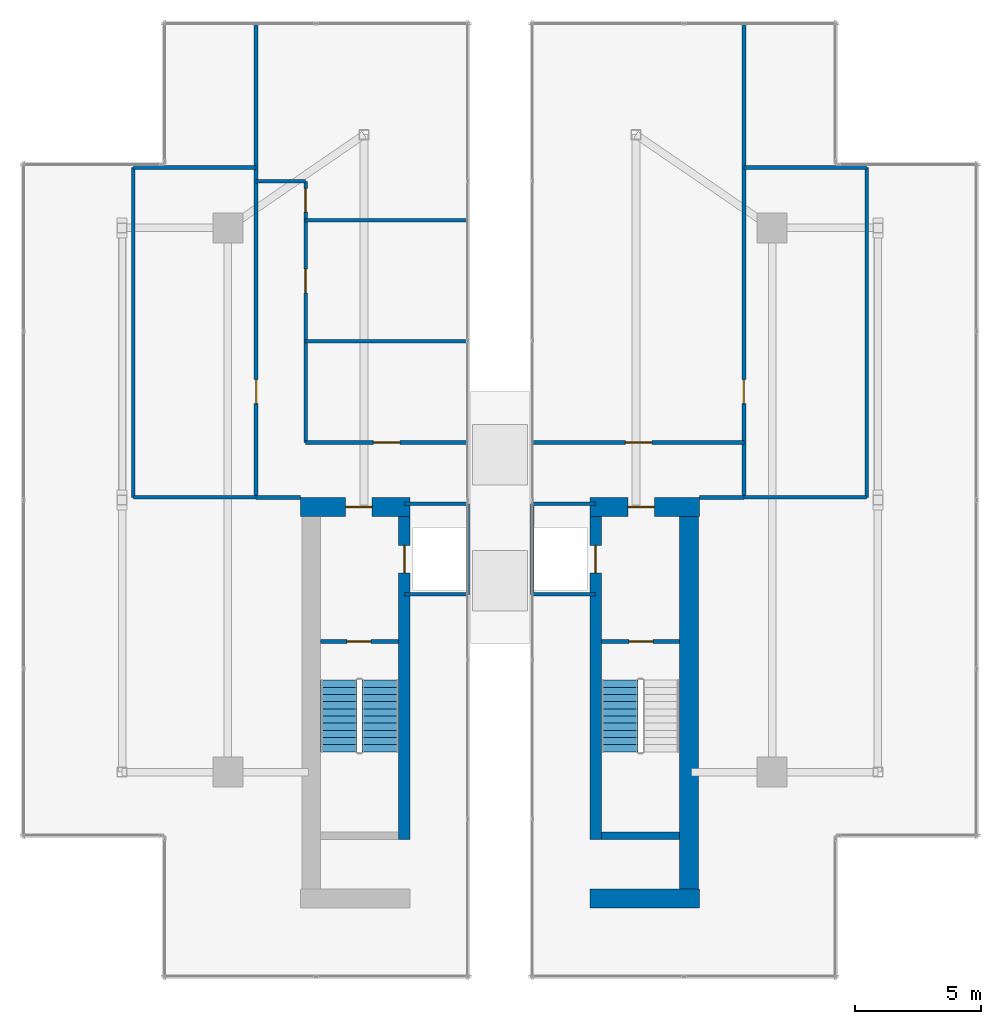
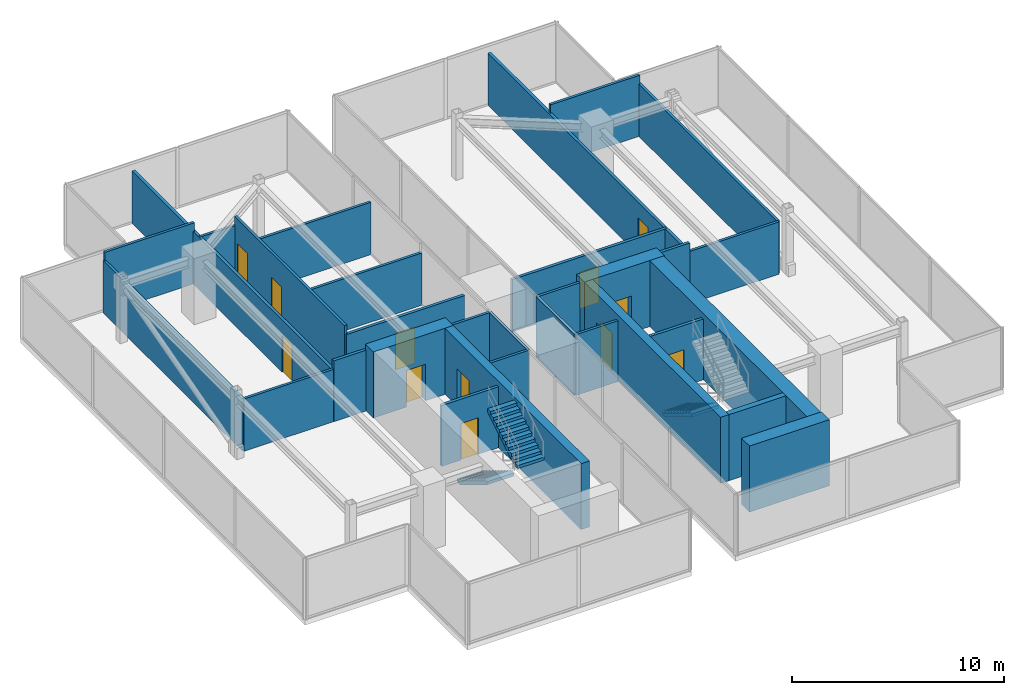
# One storey, part 23 of 25: 31 walls, 12 doors, 3 stair flights, 12 openings, 2 elements without a shape of their own.
"""IFC4 building model written with IfcOpenShell, lengths in metres."""

import ifcopenshell
import ifcopenshell.guid

model = None  # the IFC model being written
_history = None  # IfcOwnerHistory: only IFC2X3 demands one
_inside = {}  # id of a spatial element -> (the spatial element, [elements in it])
_under = {}  # id of a project, library or spatial element -> (it, [spatial elements below it])
_declared = {}  # id of a project -> (the project, [libraries it declares])
_typed = {}  # id of a type object -> (the type object, [elements of that type])
_made_of = {}  # id of a material, layer set ... -> (it, [elements and type objects made of it])


def new_model(schema):
    """Start an empty IFC model of exactly this schema.

    Asked for "IFC4X3", IfcOpenShell would pick the latest addendum, in which some entities
    have other attributes; the version numbers below select the first issue.
    IFC2X3 requires an IfcOwnerHistory on every rooted entity: one is made here for all.
    """
    global model, _history
    if schema == "IFC4X3":
        model = ifcopenshell.file(schema_version=(4, 3, 0, 0))
    else:
        model = ifcopenshell.file(schema=schema)
    _inside.clear()
    _under.clear()
    _declared.clear()
    _typed.clear()
    _made_of.clear()
    _history = None
    if model.schema == "IFC2X3":
        org = make("IfcOrganization", Name="unknown")
        user = make(
            "IfcPersonAndOrganization",
            ThePerson=make("IfcPerson", FamilyName="unknown"),
            TheOrganization=org,
        )
        app = make(
            "IfcApplication",
            ApplicationDeveloper=org,
            Version="unknown",
            ApplicationFullName="unknown",
            ApplicationIdentifier="unknown",
        )
        _history = make(
            "IfcOwnerHistory",
            OwningUser=user,
            OwningApplication=app,
            ChangeAction="ADDED",
            CreationDate=0,
        )
    return model


def make(cls, **values):
    """One entity of the class cls with the attributes given. An attribute that is None is left unset."""
    return model.create_entity(
        cls, **{name: value for name, value in values.items() if value is not None}
    )


def rooted(cls, **values):
    """An entity with a GlobalId (a new one), such as an element, a storey or a relation."""
    return make(cls, GlobalId=ifcopenshell.guid.new(), OwnerHistory=_history, **values)


def si_unit(unit_type, name, prefix=None):
    """IfcSIUnit, for example si_unit("LENGTHUNIT", "METRE", prefix="MILLI")."""
    return make("IfcSIUnit", UnitType=unit_type, Prefix=prefix, Name=name)


def assignment(units):
    """IfcUnitAssignment: the units of a project."""
    return None if units is None else make("IfcUnitAssignment", Units=units)


def point(xyz):
    """IfcCartesianPoint."""
    return None if xyz is None else make("IfcCartesianPoint", Coordinates=xyz)


def direction(xyz):
    """IfcDirection."""
    return None if xyz is None else make("IfcDirection", DirectionRatios=xyz)


def frame(location, z_axis=None, x_axis=None):
    """IfcAxis2Placement3D, a coordinate frame: its origin and axes. An axis left out is left unset."""
    return make(
        "IfcAxis2Placement3D",
        Location=point(location),
        Axis=direction(z_axis),
        RefDirection=direction(x_axis),
    )


def frame_2d(location, x_axis=None):
    """IfcAxis2Placement2D, a coordinate frame in the plane: its origin and x axis."""
    return make(
        "IfcAxis2Placement2D", Location=point(location), RefDirection=direction(x_axis)
    )


def origin():
    """The frame at (0, 0, 0) with its axes left unset."""
    return frame((0.0, 0.0, 0.0))


def place(relative_to, where):
    """IfcLocalPlacement: puts the frame where relative to a parent placement (None: the world)."""
    return make(
        "IfcLocalPlacement", PlacementRelTo=relative_to, RelativePlacement=where
    )


def context(
    kind, dimensions, precision=None, world=None, true_north=None, identifier=None
):
    """IfcGeometricRepresentationContext, for example the 3D "Model" context."""
    return make(
        "IfcGeometricRepresentationContext",
        ContextIdentifier=identifier,
        ContextType=kind,
        CoordinateSpaceDimension=dimensions,
        Precision=precision,
        WorldCoordinateSystem=world,
        TrueNorth=true_north,
    )


def subcontext(parent, identifier, kind, view, scale=None):
    """IfcGeometricRepresentationSubContext, for example "Body" below "Model"."""
    return make(
        "IfcGeometricRepresentationSubContext",
        ContextIdentifier=identifier,
        ContextType=kind,
        ParentContext=parent,
        TargetScale=scale,
        TargetView=view,
    )


def project(units=None, contexts=None):
    """IfcProject with its units and contexts."""
    return rooted(
        "IfcProject",
        Name="project",
        RepresentationContexts=contexts,
        UnitsInContext=assignment(units),
    )


def spatial(cls, under=None, at=None, **own):
    """A site, building, storey or space (cls), placed at a placement, below another one or the project."""
    s = rooted(cls, ObjectPlacement=at, **own)
    if under is not None:
        _under.setdefault(under.id(), (under, []))[1].append(s)
    return s


def polyline(points):
    """IfcPolyline through the points."""
    return make("IfcPolyline", Points=[point(p) for p in points])


def profile(cls, at=None, kind="AREA", **sizes):
    """A parametric profile (cls). Its sizes go by their IFC names, for example OverallWidth=200.0."""
    return make(cls, ProfileType=kind, Position=at, **sizes)


def rectangle(**sizes):
    """IfcRectangleProfileDef."""
    return profile("IfcRectangleProfileDef", **sizes)


def outline(outer, holes=None, kind="AREA"):
    """IfcArbitraryClosedProfileDef: a profile drawn as a closed curve; with holes, ...WithVoids."""
    if holes is None:
        return make("IfcArbitraryClosedProfileDef", ProfileType=kind, OuterCurve=outer)
    return make(
        "IfcArbitraryProfileDefWithVoids",
        ProfileType=kind,
        OuterCurve=outer,
        InnerCurves=holes,
    )


def extrude(swept, where, along, depth):
    """IfcExtrudedAreaSolid: the profile swept, set in the frame where, extruded along a direction by depth."""
    return make(
        "IfcExtrudedAreaSolid",
        SweptArea=swept,
        Position=where,
        ExtrudedDirection=direction(along),
        Depth=depth,
    )


def shape(context_of_items, identifier, shape_type, items):
    """IfcShapeRepresentation: the items that make up one representation, for example the "Body"."""
    return make(
        "IfcShapeRepresentation",
        ContextOfItems=context_of_items,
        RepresentationIdentifier=identifier,
        RepresentationType=shape_type,
        Items=items,
    )


def material(Name=None, Category=None):
    """IfcMaterial."""
    return make("IfcMaterial", Name=Name, Category=Category)


def layer(
    of_material, thickness, ventilated=None, Name=None, Category=None, Priority=None
):
    """IfcMaterialLayer: one layer of a wall or slab, of a material (None: an air gap)."""
    return make(
        "IfcMaterialLayer",
        Material=of_material,
        LayerThickness=thickness,
        IsVentilated=ventilated,
        Name=Name,
        Category=Category,
        Priority=Priority,
    )


def layer_set(layers, Name=None):
    """IfcMaterialLayerSet."""
    return make("IfcMaterialLayerSet", MaterialLayers=layers, LayerSetName=Name)


def made_of(thing, what):
    """Note that an element or type object is made of a material, layer set ...; save() writes the relation."""
    if what is not None:
        _made_of.setdefault(what.id(), (what, []))[1].append(thing)
    return thing


def type_object(cls, material=None, **own):
    """A type object (cls), such as IfcWallType, which elements share."""
    return made_of(rooted(cls, **own), material)


def element(
    cls,
    number,
    at=None,
    inside=None,
    cuts=None,
    type_object=None,
    material=None,
    context=None,
    identifier="Body",
    shape_type=None,
    held_by="IfcProductDefinitionShape",
    body=None,
    shapes=None,
    **own,
):
    """One element of the class cls, such as IfcWall. Its Tag is "e" and its number.

    at: its placement. inside: the storey or other place that contains it. cuts: it is an
    opening in that element (IfcRelVoidsElement). A single representation is given by context,
    identifier, shape_type and body (its items); several are given by shapes. held_by: the class
    of the entity that holds the representations. save() writes the other relations.
    """
    e = rooted(cls, Tag="e%d" % number, ObjectPlacement=at, **own)
    if body is not None:
        shapes = [shape(context, identifier, shape_type, body)]
    if shapes is not None:
        e.Representation = make(held_by, Representations=shapes)
    if inside is not None:
        _inside.setdefault(inside.id(), (inside, []))[1].append(e)
    if cuts is not None:
        rooted(
            "IfcRelVoidsElement", RelatingBuildingElement=cuts, RelatedOpeningElement=e
        )
    if type_object is not None:
        _typed.setdefault(type_object.id(), (type_object, []))[1].append(e)
    return made_of(e, material)


def fill(opening, filler):
    """IfcRelFillsElement: the door or window that sits in an opening."""
    return rooted(
        "IfcRelFillsElement",
        RelatingOpeningElement=opening,
        RelatedBuildingElement=filler,
    )


def aggregate(whole, parts):
    """IfcRelAggregates: a whole, such as a stair, and the parts it consists of."""
    return rooted("IfcRelAggregates", RelatingObject=whole, RelatedObjects=parts)


def save(model, path):
    """Write the relations noted so far, then the file.

    IfcRelAggregates (storeys below a building ...), IfcRelContainedInSpatialStructure (elements
    in a storey), IfcRelDefinesByType, IfcRelAssociatesMaterial and IfcRelDeclares: one each for
    every whole, place, type object, material and project.
    """
    for whole, parts in _under.values():
        aggregate(whole, parts)
    for where, things in _inside.values():
        rooted(
            "IfcRelContainedInSpatialStructure",
            RelatedElements=things,
            RelatingStructure=where,
        )
    for kind, things in _typed.values():
        rooted("IfcRelDefinesByType", RelatedObjects=things, RelatingType=kind)
    for what, things in _made_of.values():
        rooted("IfcRelAssociatesMaterial", RelatedObjects=things, RelatingMaterial=what)
    for by, libraries in _declared.values():
        rooted("IfcRelDeclares", RelatingContext=by, RelatedDefinitions=libraries)
    model.write(path)


model = new_model("IFC4")

# Units and contexts
model_context = context("Model", 3, precision=1e-05, world=origin(), true_north=direction((0.0, 1.0)))
body_context = subcontext(model_context, "Body", "Model", "MODEL_VIEW")
ifc_project = project(units=[si_unit("LENGTHUNIT", "METRE"), si_unit("AREAUNIT", "SQUARE_METRE"), si_unit("VOLUMEUNIT", "CUBIC_METRE"), si_unit("PLANEANGLEUNIT", "RADIAN"), si_unit("MASSUNIT", "GRAM", prefix="KILO")], contexts=[model_context])

# Site, building, storey
site_placement = place(None, origin())
site = spatial("IfcSite", under=ifc_project, at=site_placement, CompositionType="ELEMENT")
building_placement = place(site_placement, origin())
building = spatial("IfcBuilding", under=site, at=building_placement, Name="Krantzveldt Concourse Tower", CompositionType="ELEMENT")
storey_placement = place(building_placement, frame((0.0, 0.0, 367.050048828125)))
storey = spatial("IfcBuildingStorey", under=building, at=storey_placement, Name="L90", CompositionType="ELEMENT", Elevation=367.050048828125)

# Walls
ifc_material_1 = material(Name="Fire-rated gypsum plasterboard on steel stud", Category="steel")
ifc_layer_1 = layer(ifc_material_1, 0.139892578125, Name="Fire-rated gypsum plasterboard on steel stud", Category="steel")
ifc_layer_set_1 = layer_set([ifc_layer_1], Name="Fire-rated gypsum plasterboard on steel stud (WL-PART-FR140)")
wall_type_1 = type_object("IfcWallType", Name="WL-PART-FR140", PredefinedType="PARTITIONING", material=ifc_layer_set_1)
wall_1_placement = place(storey_placement, frame((34.719970703125, 22.949951171875, 0.0), z_axis=(0.0, 0.0, 1.0), x_axis=(0.0, 1.0, 0.0)))
element("IfcWall", 1, at=wall_1_placement, inside=storey, type_object=wall_type_1, Name="WP-L90-FL1E", PredefinedType="PARTITIONING", context=body_context, shape_type="SweptSolid", body=[
    extrude(rectangle(XDim=3.60009765625, YDim=0.139892578125, at=frame_2d((1.800048828125, 0.0))), origin(), (0.0, 0.0, 1.0), 3.5),
])
for number, where, z_axis, x_axis, name in (
    (2, (32.2099609375, 22.949951171875, 0.0), (0.0, 0.0, 1.0), (1.0, 0.0, 0.0), "WP-L90-FL1S"),
    (3, (32.2099609375, 26.550048828125, 0.0), (0.0, 0.0, 1.0), (1.0, 0.0, 0.0), "WP-L90-FL1N"),
):
    element("IfcWall", number, at=place(storey_placement, frame(where, z_axis=z_axis, x_axis=x_axis)), inside=storey, type_object=wall_type_1, Name=name, PredefinedType="PARTITIONING", context=body_context, shape_type="SweptSolid", body=[
        extrude(rectangle(XDim=2.510009765625, YDim=0.139892578125, at=frame_2d((1.2548828125, 0.0))), origin(), (0.0, 0.0, 1.0), 3.5),
    ])
wall_2_placement = place(storey_placement, frame((37.280029296875, 22.949951171875, 0.0), z_axis=(0.0, 0.0, 1.0), x_axis=(0.0, 1.0, 0.0)))
element("IfcWall", 4, at=wall_2_placement, inside=storey, type_object=wall_type_1, Name="WP-L90-FL2W", PredefinedType="PARTITIONING", context=body_context, shape_type="SweptSolid", body=[
    extrude(rectangle(XDim=3.60009765625, YDim=0.139892578125, at=frame_2d((1.800048828125, 0.0))), origin(), (0.0, 0.0, 1.0), 3.5),
])
for number, where, z_axis, x_axis, name in (
    (5, (37.280029296875, 22.949951171875, 0.0), (0.0, 0.0, 1.0), (1.0, 0.0, 0.0), "WP-L90-FL2S"),
    (6, (37.280029296875, 26.550048828125, 0.0), (0.0, 0.0, 1.0), (1.0, 0.0, 0.0), "WP-L90-FL2N"),
):
    element("IfcWall", number, at=place(storey_placement, frame(where, z_axis=z_axis, x_axis=x_axis)), inside=storey, type_object=wall_type_1, Name=name, PredefinedType="PARTITIONING", context=body_context, shape_type="SweptSolid", body=[
        extrude(rectangle(XDim=2.510009765625, YDim=0.139892578125, at=frame_2d((1.2548828125, 0.0))), origin(), (0.0, 0.0, 1.0), 3.5),
    ])
wall_3_placement = place(storey_placement, frame((21.449951171875, 26.800048828125, 0.0), z_axis=(0.0, 0.0, 1.0), x_axis=(0.0, 1.0, 0.0)))
element("IfcWall", 7, at=wall_3_placement, inside=storey, type_object=wall_type_1, Name="WP-L90-CWW", PredefinedType="PARTITIONING", context=body_context, shape_type="SweptSolid", body=[
    extrude(rectangle(XDim=13.099853515625, YDim=0.139892578125, at=frame_2d((6.5498046875, 0.0))), origin(), (0.0, 0.0, 1.0), 3.010009765625),
])
wall_4_placement = place(storey_placement, frame((21.449951171875, 26.800048828125, 0.0), z_axis=(0.0, 0.0, 1.0), x_axis=(1.0, 0.0, 0.0)))
element("IfcWall", 8, at=wall_4_placement, inside=storey, type_object=wall_type_1, Name="WP-L90-CWS", PredefinedType="PARTITIONING", context=body_context, shape_type="SweptSolid", body=[
    extrude(rectangle(XDim=4.8701171875, YDim=0.139892578125, at=frame_2d((2.43505859375, 0.0))), origin(), (0.0, 0.0, 1.0), 3.010009765625),
])
wall_5_placement = place(storey_placement, frame((21.449951171875, 39.89990234375, 0.0), z_axis=(0.0, 0.0, 1.0), x_axis=(1.0, 0.0, 0.0)))
element("IfcWall", 9, at=wall_5_placement, inside=storey, type_object=wall_type_1, Name="WP-L90-CWTOP", PredefinedType="PARTITIONING", context=body_context, shape_type="SweptSolid", body=[
    extrude(rectangle(XDim=4.8701171875, YDim=0.139892578125, at=frame_2d((2.43505859375, 0.0))), origin(), (0.0, 0.0, 1.0), 3.5),
])

# Wall, openings, doors
wall_6_placement = place(storey_placement, frame((28.280029296875, 28.97998046875, 0.0), z_axis=(0.0, 0.0, 1.0), x_axis=(0.0, 1.0, 0.0)))
wall_6 = element("IfcWall", 10, at=wall_6_placement, inside=storey, type_object=wall_type_1, Name="WP-L90-CNKR", PredefinedType="PARTITIONING", context=body_context, shape_type="SweptSolid", body=[
    extrude(rectangle(XDim=10.3701171875, YDim=0.139892578125, at=frame_2d((5.18505859375, 0.0))), origin(), (0.0, 0.0, 1.0), 3.5),
])
opening_1_placement = place(wall_6_placement, frame((5.945068359375, 0.0, 0.0)))
opening_1 = element("IfcOpeningElement", 11, at=opening_1_placement, cuts=wall_6, Name="Opening D-FD695", PredefinedType="OPENING", context=body_context, shape_type="SweptSolid", body=[
    extrude(rectangle(XDim=0.949951171875, YDim=2.10009765625, at=frame_2d((0.47509765625, 1.050048828125))), frame((0.0, 0.080078125, 0.0), z_axis=(0.0, -1.0, 0.0), x_axis=(1.0, 0.0, 0.0)), (0.0, 0.0, 1.0), 0.159912109375),
])
opening_2_placement = place(wall_6_placement, frame((9.14501953125, 0.0, 0.0)))
opening_2 = element("IfcOpeningElement", 12, at=opening_2_placement, cuts=wall_6, Name="Opening D-FD695", PredefinedType="OPENING", context=body_context, shape_type="SweptSolid", body=[
    extrude(rectangle(XDim=0.949951171875, YDim=2.10009765625, at=frame_2d((0.47509765625, 1.050048828125))), frame((0.0, 0.080078125, 0.0), z_axis=(0.0, -1.0, 0.0), x_axis=(1.0, 0.0, 0.0)), (0.0, 0.0, 1.0), 0.159912109375),
])
ifc_material_2 = material(Name="Hardwood timber", Category="wood")
door_type_1 = type_object("IfcDoorType", Name="DR-FD60-950", OperationType="SINGLE_SWING_LEFT", PredefinedType="DOOR", material=ifc_material_2)
door_1_placement = place(opening_1_placement, origin())
door_1 = element("IfcDoor", 13, at=door_1_placement, inside=storey, type_object=door_type_1, Name="DR-L90-PLT2", OperationType="SINGLE_SWING_RIGHT", OverallHeight=2.10009765625, OverallWidth=0.949951171875, PredefinedType="DOOR", context=body_context, shape_type="SweptSolid", body=[
    extrude(rectangle(XDim=0.949951171875, YDim=2.10009765625, at=frame_2d((0.47509765625, 1.050048828125))), frame((0.0, 0.02490234375, 0.0), z_axis=(0.0, -1.0, 0.0), x_axis=(1.0, 0.0, 0.0)), (0.0, 0.0, 1.0), 0.050048828125),
])
fill(opening_1, door_1)
door_2_placement = place(opening_2_placement, origin())
door_2 = element("IfcDoor", 14, at=door_2_placement, inside=storey, type_object=door_type_1, Name="DR-L90-PLT3", OperationType="SINGLE_SWING_LEFT", OverallHeight=2.10009765625, OverallWidth=0.949951171875, PredefinedType="DOOR", context=body_context, shape_type="SweptSolid", body=[
    extrude(rectangle(XDim=0.949951171875, YDim=2.10009765625, at=frame_2d((0.47509765625, 1.050048828125))), frame((0.0, 0.02490234375, 0.0), z_axis=(0.0, -1.0, 0.0), x_axis=(1.0, 0.0, 0.0)), (0.0, 0.0, 1.0), 0.050048828125),
])
fill(opening_2, door_2)

# Walls
for number, where, z_axis, x_axis, name in (
    (15, (28.280029296875, 33.0, 0.0), (0.0, 0.0, 1.0), (1.0, 0.0, 0.0), "WP-L90-CDV1"),
    (16, (28.280029296875, 37.800048828125, 0.0), (0.0, 0.0, 1.0), (1.0, 0.0, 0.0), "WP-L90-CDV2"),
):
    element("IfcWall", number, at=place(storey_placement, frame(where, z_axis=z_axis, x_axis=x_axis)), inside=storey, type_object=wall_type_1, Name=name, PredefinedType="PARTITIONING", context=body_context, shape_type="SweptSolid", body=[
        extrude(rectangle(XDim=6.429931640625, YDim=0.139892578125, at=frame_2d((3.21484375, 0.0))), origin(), (0.0, 0.0, 1.0), 3.010009765625),
    ])
wall_7_placement = place(storey_placement, frame((26.320068359375, 39.35009765625, 0.0), z_axis=(0.0, 0.0, 1.0), x_axis=(1.0, 0.0, 0.0)))
element("IfcWall", 17, at=wall_7_placement, inside=storey, type_object=wall_type_1, Name="WP-L90-CNKT", PredefinedType="PARTITIONING", context=body_context, shape_type="SweptSolid", body=[
    extrude(rectangle(XDim=1.9599609375, YDim=0.139892578125, at=frame_2d((0.97998046875, 0.0))), origin(), (0.0, 0.0, 1.0), 3.010009765625),
])
wall_8_placement = place(storey_placement, frame((50.550048828125, 26.800048828125, 0.0), z_axis=(0.0, 0.0, 1.0), x_axis=(0.0, 1.0, 0.0)))
element("IfcWall", 18, at=wall_8_placement, inside=storey, type_object=wall_type_1, Name="WP-L90-EEE", PredefinedType="PARTITIONING", context=body_context, shape_type="SweptSolid", body=[
    extrude(rectangle(XDim=13.099853515625, YDim=0.139892578125, at=frame_2d((6.5498046875, 0.0))), origin(), (0.0, 0.0, 1.0), 3.010009765625),
])
wall_9_placement = place(storey_placement, frame((45.679931640625, 26.800048828125, 0.0), z_axis=(0.0, 0.0, 1.0), x_axis=(1.0, 0.0, 0.0)))
element("IfcWall", 19, at=wall_9_placement, inside=storey, type_object=wall_type_1, Name="WP-L90-EES", PredefinedType="PARTITIONING", context=body_context, shape_type="SweptSolid", body=[
    extrude(rectangle(XDim=4.8701171875, YDim=0.139892578125, at=frame_2d((2.43505859375, 0.0))), origin(), (0.0, 0.0, 1.0), 3.010009765625),
])
wall_10_placement = place(storey_placement, frame((45.679931640625, 39.89990234375, 0.0), z_axis=(0.0, 0.0, 1.0), x_axis=(1.0, 0.0, 0.0)))
element("IfcWall", 20, at=wall_10_placement, inside=storey, type_object=wall_type_1, Name="WP-L90-ETP", PredefinedType="PARTITIONING", context=body_context, shape_type="SweptSolid", body=[
    extrude(rectangle(XDim=4.8701171875, YDim=0.139892578125, at=frame_2d((2.43505859375, 0.0))), origin(), (0.0, 0.0, 1.0), 3.5),
])

# Wall, opening, door
ifc_layer_2 = layer(ifc_material_1, 0.159912109375, Name="Fire-rated gypsum plasterboard on steel stud", Category="steel")
ifc_layer_set_2 = layer_set([ifc_layer_2], Name="Fire-rated gypsum plasterboard on steel stud (WL-PART-FR160)")
wall_type_2 = type_object("IfcWallType", Name="WL-PART-FR160", PredefinedType="PARTITIONING", material=ifc_layer_set_2)
wall_11_placement = place(storey_placement, frame((28.8798828125, 21.080078125, 0.0), z_axis=(0.0, 0.0, 1.0), x_axis=(1.0, 0.0, 0.0)))
wall_11 = element("IfcWall", 21, at=wall_11_placement, inside=storey, type_object=wall_type_2, Name="WP-L90-ST1", PredefinedType="PARTITIONING", context=body_context, shape_type="SweptSolid", body=[
    extrude(rectangle(XDim=3.10009765625, YDim=0.159912109375, at=frame_2d((1.550048828125, 0.0))), origin(), (0.0, 0.0, 1.0), 3.5),
])
opening_3_placement = place(wall_11_placement, frame((1.044921875, 0.0, 0.0)))
opening_3 = element("IfcOpeningElement", 22, at=opening_3_placement, cuts=wall_11, Name="Opening D-FD095", PredefinedType="OPENING", context=body_context, shape_type="SweptSolid", body=[
    extrude(rectangle(XDim=0.949951171875, YDim=2.10009765625, at=frame_2d((0.47509765625, 1.050048828125))), frame((0.0, 0.08984375, 0.0), z_axis=(0.0, -1.0, 0.0), x_axis=(1.0, 0.0, 0.0)), (0.0, 0.0, 1.0), 0.179931640625),
])
ifc_material_3 = material(Name="Galvanised steel", Category="steel")
door_type_2 = type_object("IfcDoorType", Name="DR-FD120-950", OperationType="SINGLE_SWING_LEFT", PredefinedType="DOOR", material=ifc_material_3)
door_3_placement = place(opening_3_placement, origin())
door_3 = element("IfcDoor", 23, at=door_3_placement, inside=storey, type_object=door_type_2, Name="DR-L90-ST1", OperationType="SINGLE_SWING_RIGHT", OverallHeight=2.10009765625, OverallWidth=0.949951171875, PredefinedType="DOOR", context=body_context, shape_type="SweptSolid", body=[
    extrude(rectangle(XDim=0.949951171875, YDim=2.10009765625, at=frame_2d((0.47509765625, 1.050048828125))), frame((0.0, 0.02490234375, 0.0), z_axis=(0.0, -1.0, 0.0), x_axis=(1.0, 0.0, 0.0)), (0.0, 0.0, 1.0), 0.050048828125),
])
fill(opening_3, door_3)

wall_12_placement = place(storey_placement, frame((40.02001953125, 21.080078125, 0.0), z_axis=(0.0, 0.0, 1.0), x_axis=(1.0, 0.0, 0.0)))
wall_12 = element("IfcWall", 24, at=wall_12_placement, inside=storey, type_object=wall_type_2, Name="WP-L90-ST2", PredefinedType="PARTITIONING", context=body_context, shape_type="SweptSolid", body=[
    extrude(rectangle(XDim=3.10009765625, YDim=0.159912109375, at=frame_2d((1.550048828125, 0.0))), origin(), (0.0, 0.0, 1.0), 3.5),
])
opening_4_placement = place(wall_12_placement, frame((1.10498046875, 0.0, 0.0)))
opening_4 = element("IfcOpeningElement", 25, at=opening_4_placement, cuts=wall_12, Name="Opening D-FD095", PredefinedType="OPENING", context=body_context, shape_type="SweptSolid", body=[
    extrude(rectangle(XDim=0.949951171875, YDim=2.10009765625, at=frame_2d((0.47509765625, 1.050048828125))), frame((0.0, 0.08984375, 0.0), z_axis=(0.0, -1.0, 0.0), x_axis=(1.0, 0.0, 0.0)), (0.0, 0.0, 1.0), 0.179931640625),
])
door_4_placement = place(opening_4_placement, origin())
door_4 = element("IfcDoor", 26, at=door_4_placement, inside=storey, type_object=door_type_2, Name="DR-L90-ST2", OperationType="SINGLE_SWING_LEFT", OverallHeight=2.10009765625, OverallWidth=0.949951171875, PredefinedType="DOOR", context=body_context, shape_type="SweptSolid", body=[
    extrude(rectangle(XDim=0.949951171875, YDim=2.10009765625, at=frame_2d((0.47509765625, 1.050048828125))), frame((0.0, 0.02490234375, 0.0), z_axis=(0.0, -1.0, 0.0), x_axis=(1.0, 0.0, 0.0)), (0.0, 0.0, 1.0), 0.050048828125),
])
fill(opening_4, door_4)

wall_13_placement = place(storey_placement, frame((28.280029296875, 28.97998046875, 0.0), z_axis=(0.0, 0.0, 1.0), x_axis=(1.0, 0.0, 0.0)))
wall_13 = element("IfcWall", 27, at=wall_13_placement, inside=storey, type_object=wall_type_2, Name="WP-L90-CN1R", PredefinedType="PARTITIONING", context=body_context, shape_type="SweptSolid", body=[
    extrude(rectangle(XDim=6.429931640625, YDim=0.159912109375, at=frame_2d((3.21484375, 0.0))), origin(), (0.0, 0.0, 1.0), 3.010009765625),
])
opening_5_placement = place(wall_13_placement, frame((2.695068359375, 0.0, 0.0)))
opening_5 = element("IfcOpeningElement", 28, at=opening_5_placement, cuts=wall_13, Name="Opening D-FD105", PredefinedType="OPENING", context=body_context, shape_type="SweptSolid", body=[
    extrude(rectangle(XDim=1.050048828125, YDim=2.10009765625, at=frame_2d((0.52490234375, 1.050048828125))), frame((0.0, 0.08984375, 0.0), z_axis=(0.0, -1.0, 0.0), x_axis=(1.0, 0.0, 0.0)), (0.0, 0.0, 1.0), 0.179931640625),
])
door_type_3 = type_object("IfcDoorType", Name="DR-FD120-1050", OperationType="SINGLE_SWING_LEFT", PredefinedType="DOOR", material=ifc_material_3)
door_5_placement = place(opening_5_placement, origin())
door_5 = element("IfcDoor", 29, at=door_5_placement, inside=storey, type_object=door_type_3, Name="DR-L90-PLT1", OperationType="SINGLE_SWING_LEFT", OverallHeight=2.10009765625, OverallWidth=1.050048828125, PredefinedType="DOOR", context=body_context, shape_type="SweptSolid", body=[
    extrude(rectangle(XDim=1.050048828125, YDim=2.10009765625, at=frame_2d((0.52490234375, 1.050048828125))), frame((0.0, 0.02490234375, 0.0), z_axis=(0.0, -1.0, 0.0), x_axis=(1.0, 0.0, 0.0)), (0.0, 0.0, 1.0), 0.050048828125),
])
fill(opening_5, door_5)

# Wall
wall_14_placement = place(storey_placement, frame((26.320068359375, 26.800048828125, 0.0), z_axis=(0.0, 0.0, 1.0), x_axis=(1.0, 0.0, 0.0)))
element("IfcWall", 30, at=wall_14_placement, inside=storey, type_object=wall_type_2, Name="WP-L90-CS1", PredefinedType="PARTITIONING", context=body_context, shape_type="SweptSolid", body=[
    extrude(rectangle(XDim=1.760009765625, YDim=0.159912109375, at=frame_2d((0.8798828125, 0.0))), origin(), (0.0, 0.0, 1.0), 3.5),
])

# Wall, opening, door
wall_15_placement = place(storey_placement, frame((26.320068359375, 26.800048828125, 0.0), z_axis=(0.0, 0.0, 1.0), x_axis=(0.0, 1.0, 0.0)))
wall_15 = element("IfcWall", 31, at=wall_15_placement, inside=storey, type_object=wall_type_2, Name="WP-L90-CWL", PredefinedType="PARTITIONING", context=body_context, shape_type="SweptSolid", body=[
    extrude(rectangle(XDim=18.81005859375, YDim=0.159912109375, at=frame_2d((9.405029296875, 0.0))), origin(), (0.0, 0.0, 1.0), 3.010009765625),
])
opening_6_placement = place(wall_15_placement, frame((3.72509765625, 0.0, 0.0)))
opening_6 = element("IfcOpeningElement", 32, at=opening_6_placement, cuts=wall_15, Name="Opening D-FD695", PredefinedType="OPENING", context=body_context, shape_type="SweptSolid", body=[
    extrude(rectangle(XDim=0.949951171875, YDim=2.10009765625, at=frame_2d((0.47509765625, 1.050048828125))), frame((0.0, 0.08984375, 0.0), z_axis=(0.0, -1.0, 0.0), x_axis=(1.0, 0.0, 0.0)), (0.0, 0.0, 1.0), 0.179931640625),
])
door_6_placement = place(opening_6_placement, origin())
door_6 = element("IfcDoor", 33, at=door_6_placement, inside=storey, type_object=door_type_1, Name="DR-L90-PLT4", OperationType="SINGLE_SWING_LEFT", OverallHeight=2.10009765625, OverallWidth=0.949951171875, PredefinedType="DOOR", context=body_context, shape_type="SweptSolid", body=[
    extrude(rectangle(XDim=0.949951171875, YDim=2.10009765625, at=frame_2d((0.47509765625, 1.050048828125))), frame((0.0, 0.02490234375, 0.0), z_axis=(0.0, -1.0, 0.0), x_axis=(1.0, 0.0, 0.0)), (0.0, 0.0, 1.0), 0.050048828125),
])
fill(opening_6, door_6)

wall_16_placement = place(storey_placement, frame((37.2900390625, 28.97998046875, 0.0), z_axis=(0.0, 0.0, 1.0), x_axis=(1.0, 0.0, 0.0)))
wall_16 = element("IfcWall", 34, at=wall_16_placement, inside=storey, type_object=wall_type_2, Name="WP-L90-EN1", PredefinedType="PARTITIONING", context=body_context, shape_type="SweptSolid", body=[
    extrude(rectangle(XDim=8.389892578125, YDim=0.159912109375, at=frame_2d((4.19482421875, 0.0))), origin(), (0.0, 0.0, 1.0), 3.010009765625),
])
opening_7_placement = place(wall_16_placement, frame((3.68505859375, 0.0, 0.0)))
opening_7 = element("IfcOpeningElement", 35, at=opening_7_placement, cuts=wall_16, Name="Opening D-FD105", PredefinedType="OPENING", context=body_context, shape_type="SweptSolid", body=[
    extrude(rectangle(XDim=1.050048828125, YDim=2.10009765625, at=frame_2d((0.52490234375, 1.050048828125))), frame((0.0, 0.08984375, 0.0), z_axis=(0.0, -1.0, 0.0), x_axis=(1.0, 0.0, 0.0)), (0.0, 0.0, 1.0), 0.179931640625),
])
door_7_placement = place(opening_7_placement, origin())
door_7 = element("IfcDoor", 36, at=door_7_placement, inside=storey, type_object=door_type_3, Name="DR-L90-EPLT1", OperationType="SINGLE_SWING_RIGHT", OverallHeight=2.10009765625, OverallWidth=1.050048828125, PredefinedType="DOOR", context=body_context, shape_type="SweptSolid", body=[
    extrude(rectangle(XDim=1.050048828125, YDim=2.10009765625, at=frame_2d((0.52490234375, 1.050048828125))), frame((0.0, 0.02490234375, 0.0), z_axis=(0.0, -1.0, 0.0), x_axis=(1.0, 0.0, 0.0)), (0.0, 0.0, 1.0), 0.050048828125),
])
fill(opening_7, door_7)

# Wall
wall_17_placement = place(storey_placement, frame((43.919921875, 26.800048828125, 0.0), z_axis=(0.0, 0.0, 1.0), x_axis=(1.0, 0.0, 0.0)))
element("IfcWall", 37, at=wall_17_placement, inside=storey, type_object=wall_type_2, Name="WP-L90-ES1", PredefinedType="PARTITIONING", context=body_context, shape_type="SweptSolid", body=[
    extrude(rectangle(XDim=1.760009765625, YDim=0.159912109375, at=frame_2d((0.8798828125, 0.0))), origin(), (0.0, 0.0, 1.0), 3.5),
])

# Wall, opening, door
wall_18_placement = place(storey_placement, frame((45.679931640625, 26.800048828125, 0.0), z_axis=(0.0, 0.0, 1.0), x_axis=(0.0, 1.0, 0.0)))
wall_18 = element("IfcWall", 38, at=wall_18_placement, inside=storey, type_object=wall_type_2, Name="WP-L90-EER", PredefinedType="PARTITIONING", context=body_context, shape_type="SweptSolid", body=[
    extrude(rectangle(XDim=18.81005859375, YDim=0.159912109375, at=frame_2d((9.405029296875, 0.0))), origin(), (0.0, 0.0, 1.0), 3.010009765625),
])
opening_8_placement = place(wall_18_placement, frame((3.72509765625, 0.0, 0.0)))
opening_8 = element("IfcOpeningElement", 39, at=opening_8_placement, cuts=wall_18, Name="Opening D-FD695", PredefinedType="OPENING", context=body_context, shape_type="SweptSolid", body=[
    extrude(rectangle(XDim=0.949951171875, YDim=2.10009765625, at=frame_2d((0.47509765625, 1.050048828125))), frame((0.0, 0.08984375, 0.0), z_axis=(0.0, -1.0, 0.0), x_axis=(1.0, 0.0, 0.0)), (0.0, 0.0, 1.0), 0.179931640625),
])
door_8_placement = place(opening_8_placement, origin())
door_8 = element("IfcDoor", 40, at=door_8_placement, inside=storey, type_object=door_type_1, Name="DR-L90-EPLT2", OperationType="SINGLE_SWING_RIGHT", OverallHeight=2.10009765625, OverallWidth=0.949951171875, PredefinedType="DOOR", context=body_context, shape_type="SweptSolid", body=[
    extrude(rectangle(XDim=0.949951171875, YDim=2.10009765625, at=frame_2d((0.47509765625, 1.050048828125))), frame((0.0, 0.02490234375, 0.0), z_axis=(0.0, -1.0, 0.0), x_axis=(1.0, 0.0, 0.0)), (0.0, 0.0, 1.0), 0.050048828125),
])
fill(opening_8, door_8)

# Wall
ifc_material_4 = material(Name="Concrete C50/60", Category="concrete")
ifc_layer_3 = layer(ifc_material_4, 0.300048828125, Name="Concrete C50/60", Category="concrete")
ifc_layer_set_3 = layer_set([ifc_layer_3], Name="Concrete C50/60 (WL-SHEAR-300)")
wall_type_3 = type_object("IfcWallType", Name="WL-SHEAR-300", PredefinedType="SHEAR", material=ifc_layer_set_3)
wall_19_placement = place(storey_placement, frame((40.02001953125, 13.3701171875, 0.0), z_axis=(0.0, 0.0, 1.0), x_axis=(1.0, 0.0, 0.0)))
element("IfcWall", 41, at=wall_19_placement, inside=storey, type_object=wall_type_3, Name="CW-L90-ST2S", PredefinedType="SHEAR", context=body_context, shape_type="SweptSolid", body=[
    extrude(rectangle(XDim=3.10009765625, YDim=0.300048828125, at=frame_2d((1.550048828125, 0.0))), origin(), (0.0, 0.0, 1.0), 3.800048828125),
])

# Wall, opening, door
ifc_layer_4 = layer(ifc_material_4, 0.449951171875, Name="Concrete C50/60", Category="concrete")
ifc_layer_set_4 = layer_set([ifc_layer_4], Name="Concrete C50/60 (WL-SHEAR-450)")
wall_type_4 = type_object("IfcWallType", Name="WL-SHEAR-450", PredefinedType="SHEAR", material=ifc_layer_set_4)
wall_20_placement = place(storey_placement, frame((32.205078125, 13.219970703125, 0.0), z_axis=(0.0, 0.0, 1.0), x_axis=(0.0, 1.0, 0.0)))
wall_20 = element("IfcWall", 42, at=wall_20_placement, inside=storey, type_object=wall_type_4, Name="CW-L90-WC-E", PredefinedType="SHEAR", context=body_context, shape_type="SweptSolid", body=[
    extrude(rectangle(XDim=12.830078125, YDim=0.449951171875, at=frame_2d((6.4150390625, 0.0))), origin(), (0.0, 0.0, 1.0), 3.800048828125),
])
opening_9_placement = place(wall_20_placement, frame((10.580078125, 0.0, 0.0)))
opening_9 = element("IfcOpeningElement", 43, at=opening_9_placement, cuts=wall_20, Name="Opening LD", PredefinedType="OPENING", context=body_context, shape_type="SweptSolid", body=[
    extrude(rectangle(XDim=1.10009765625, YDim=2.14990234375, at=frame_2d((0.550048828125, 1.074951171875))), frame((0.0, 0.23486328125, 0.0), z_axis=(0.0, -1.0, 0.0), x_axis=(1.0, 0.0, 0.0)), (0.0, 0.0, 1.0), 0.469970703125),
])
ifc_material_5 = material(Name="Stainless steel 316L", Category="steel")
door_type_4 = type_object("IfcDoorType", Name="DR-SLIDE-LD1100", OperationType="DOUBLE_DOOR_SLIDING", PredefinedType="DOOR", material=ifc_material_5)
door_9_placement = place(opening_9_placement, origin())
door_9 = element("IfcDoor", 44, at=door_9_placement, inside=storey, type_object=door_type_4, Name="LD-L90-FL1", OperationType="DOUBLE_DOOR_SLIDING", OverallHeight=2.14990234375, OverallWidth=1.10009765625, PredefinedType="DOOR", context=body_context, shape_type="SweptSolid", body=[
    extrude(rectangle(XDim=1.10009765625, YDim=2.14990234375, at=frame_2d((0.550048828125, 1.074951171875))), frame((0.0, 0.02490234375, 0.0), z_axis=(0.0, -1.0, 0.0), x_axis=(1.0, 0.0, 0.0)), (0.0, 0.0, 1.0), 0.050048828125),
])
fill(opening_9, door_9)

wall_21_placement = place(storey_placement, frame((39.794921875, 13.219970703125, 0.0), z_axis=(0.0, 0.0, 1.0), x_axis=(0.0, 1.0, 0.0)))
wall_21 = element("IfcWall", 45, at=wall_21_placement, inside=storey, type_object=wall_type_4, Name="CW-L90-EC-W", PredefinedType="SHEAR", context=body_context, shape_type="SweptSolid", body=[
    extrude(rectangle(XDim=12.830078125, YDim=0.449951171875, at=frame_2d((6.4150390625, 0.0))), origin(), (0.0, 0.0, 1.0), 3.800048828125),
])
opening_10_placement = place(wall_21_placement, frame((10.580078125, 0.0, 0.0)))
opening_10 = element("IfcOpeningElement", 46, at=opening_10_placement, cuts=wall_21, Name="Opening LD", PredefinedType="OPENING", context=body_context, shape_type="SweptSolid", body=[
    extrude(rectangle(XDim=1.10009765625, YDim=2.14990234375, at=frame_2d((0.550048828125, 1.074951171875))), frame((0.0, 0.23486328125, 0.0), z_axis=(0.0, -1.0, 0.0), x_axis=(1.0, 0.0, 0.0)), (0.0, 0.0, 1.0), 0.469970703125),
])
door_10_placement = place(opening_10_placement, origin())
door_10 = element("IfcDoor", 47, at=door_10_placement, inside=storey, type_object=door_type_4, Name="LD-L90-FL2", OperationType="DOUBLE_DOOR_SLIDING", OverallHeight=2.14990234375, OverallWidth=1.10009765625, PredefinedType="DOOR", context=body_context, shape_type="SweptSolid", body=[
    extrude(rectangle(XDim=1.10009765625, YDim=2.14990234375, at=frame_2d((0.550048828125, 1.074951171875))), frame((0.0, 0.02490234375, 0.0), z_axis=(0.0, -1.0, 0.0), x_axis=(1.0, 0.0, 0.0)), (0.0, 0.0, 1.0), 0.050048828125),
])
fill(opening_10, door_10)

ifc_material_6 = material(Name="Concrete C60/75", Category="concrete")
ifc_layer_5 = layer(ifc_material_6, 0.75, Name="Concrete C60/75", Category="concrete")
ifc_layer_set_5 = layer_set([ifc_layer_5], Name="Concrete C60/75 (WL-SHEAR-750)")
wall_type_5 = type_object("IfcWallType", Name="WL-SHEAR-750", PredefinedType="SHEAR", material=ifc_layer_set_5)
wall_22_placement = place(storey_placement, frame((28.080078125, 26.425048828125, 0.0), z_axis=(0.0, 0.0, 1.0), x_axis=(1.0, 0.0, 0.0)))
wall_22 = element("IfcWall", 48, at=wall_22_placement, inside=storey, type_object=wall_type_5, Name="CW-L90-WC-N", PredefinedType="SHEAR", context=body_context, shape_type="SweptSolid", body=[
    extrude(rectangle(XDim=4.349853515625, YDim=0.75, at=frame_2d((2.1748046875, 0.0))), origin(), (0.0, 0.0, 1.0), 3.800048828125),
])
opening_11_placement = place(wall_22_placement, frame((1.794921875, 0.0, 0.0)))
opening_11 = element("IfcOpeningElement", 49, at=opening_11_placement, cuts=wall_22, Name="Opening D-FD105", PredefinedType="OPENING", context=body_context, shape_type="SweptSolid", body=[
    extrude(rectangle(XDim=1.050048828125, YDim=2.10009765625, at=frame_2d((0.52490234375, 1.050048828125))), frame((0.0, 0.385009765625, 0.0), z_axis=(0.0, -1.0, 0.0), x_axis=(1.0, 0.0, 0.0)), (0.0, 0.0, 1.0), 0.77001953125),
])
door_11_placement = place(opening_11_placement, origin())
door_11 = element("IfcDoor", 50, at=door_11_placement, inside=storey, type_object=door_type_3, Name="DR-L90-FFL1", OperationType="SINGLE_SWING_LEFT", OverallHeight=2.10009765625, OverallWidth=1.050048828125, PredefinedType="DOOR", context=body_context, shape_type="SweptSolid", body=[
    extrude(rectangle(XDim=1.050048828125, YDim=2.10009765625, at=frame_2d((0.52490234375, 1.050048828125))), frame((0.0, 0.02490234375, 0.0), z_axis=(0.0, -1.0, 0.0), x_axis=(1.0, 0.0, 0.0)), (0.0, 0.0, 1.0), 0.050048828125),
])
fill(opening_11, door_11)

# Wall
wall_23_placement = place(storey_placement, frame((39.570068359375, 10.875, 0.0), z_axis=(0.0, 0.0, 1.0), x_axis=(1.0, 0.0, 0.0)))
element("IfcWall", 51, at=wall_23_placement, inside=storey, type_object=wall_type_5, Name="CW-L90-EC-S", PredefinedType="SHEAR", context=body_context, shape_type="SweptSolid", body=[
    extrude(rectangle(XDim=4.349853515625, YDim=0.75, at=frame_2d((2.1748046875, 0.0))), origin(), (0.0, 0.0, 1.0), 3.800048828125),
])

# Wall, opening, door
wall_24_placement = place(storey_placement, frame((39.570068359375, 26.425048828125, 0.0), z_axis=(0.0, 0.0, 1.0), x_axis=(1.0, 0.0, 0.0)))
wall_24 = element("IfcWall", 52, at=wall_24_placement, inside=storey, type_object=wall_type_5, Name="CW-L90-EC-N", PredefinedType="SHEAR", context=body_context, shape_type="SweptSolid", body=[
    extrude(rectangle(XDim=4.349853515625, YDim=0.75, at=frame_2d((2.1748046875, 0.0))), origin(), (0.0, 0.0, 1.0), 3.800048828125),
])
opening_12_placement = place(wall_24_placement, frame((1.5048828125, 0.0, 0.0)))
opening_12 = element("IfcOpeningElement", 53, at=opening_12_placement, cuts=wall_24, Name="Opening D-FD105", PredefinedType="OPENING", context=body_context, shape_type="SweptSolid", body=[
    extrude(rectangle(XDim=1.050048828125, YDim=2.10009765625, at=frame_2d((0.52490234375, 1.050048828125))), frame((0.0, 0.385009765625, 0.0), z_axis=(0.0, -1.0, 0.0), x_axis=(1.0, 0.0, 0.0)), (0.0, 0.0, 1.0), 0.77001953125),
])
door_12_placement = place(opening_12_placement, origin())
door_12 = element("IfcDoor", 54, at=door_12_placement, inside=storey, type_object=door_type_3, Name="DR-L90-FFL2", OperationType="SINGLE_SWING_RIGHT", OverallHeight=2.10009765625, OverallWidth=1.050048828125, PredefinedType="DOOR", context=body_context, shape_type="SweptSolid", body=[
    extrude(rectangle(XDim=1.050048828125, YDim=2.10009765625, at=frame_2d((0.52490234375, 1.050048828125))), frame((0.0, 0.02490234375, 0.0), z_axis=(0.0, -1.0, 0.0), x_axis=(1.0, 0.0, 0.0)), (0.0, 0.0, 1.0), 0.050048828125),
])
fill(opening_12, door_12)

# Wall
wall_25_placement = place(storey_placement, frame((43.4951171875, 11.25, 0.0), z_axis=(0.0, 0.0, 1.0), x_axis=(0.0, 1.0, 0.0)))
element("IfcWall", 55, at=wall_25_placement, inside=storey, type_object=wall_type_5, Name="CW-L90-EC-E", PredefinedType="SHEAR", context=body_context, shape_type="SweptSolid", body=[
    extrude(rectangle(XDim=14.800048828125, YDim=0.75, at=frame_2d((7.39990234375, 0.0))), origin(), (0.0, 0.0, 1.0), 3.800048828125),
])

# Stair, stair flights
ifc_material_7 = material(Name="Precast concrete C40/50", Category="concrete")
stair_type = type_object("IfcStairType", Name="STR-CORE-DOGLEG", PredefinedType="HALF_TURN_STAIR", material=ifc_material_7)
stair_1_placement = place(storey_placement, origin())
stair_1 = element("IfcStair", 56, at=stair_1_placement, inside=storey, type_object=stair_type, Name="L90 Protected Escape Stair ST-1", PredefinedType="HALF_TURN_STAIR")
stair_flight_type = type_object("IfcStairFlightType", Name="STF-CORE-1450", PredefinedType="STRAIGHT", material=ifc_material_7)
stair_flight_1_placement = place(storey_placement, frame((29.60498046875, 19.550048828125, 0.0), z_axis=(0.0, 0.0, 1.0), x_axis=(0.0, -1.0, 0.0)))
stair_flight_1 = element("IfcStairFlight", 57, at=stair_flight_1_placement, type_object=stair_flight_type, Name="ST-1 flight 1", NumberOfRisers=11, NumberOfTreads=10, PredefinedType="STRAIGHT", RiserHeight=0.172727273, TreadLength=0.285, context=body_context, shape_type="SweptSolid", body=[
    extrude(outline(polyline([(0.0, 0.0), (0.0, 0.172607421875), (0.284912109375, 0.172607421875), (0.284912109375, 0.345458984375), (0.570068359375, 0.345458984375), (0.570068359375, 0.51806640625), (0.85498046875, 0.51806640625), (0.85498046875, 0.69091796875), (1.139892578125, 0.69091796875), (1.139892578125, 0.863525390625), (1.425048828125, 0.863525390625), (1.425048828125, 1.036376953125), (1.7099609375, 1.036376953125), (1.7099609375, 1.208984375), (1.9951171875, 1.208984375), (1.9951171875, 1.3818359375), (2.280029296875, 1.3818359375), (2.280029296875, 1.554443359375), (2.56494140625, 1.554443359375), (2.56494140625, 1.727294921875), (2.85009765625, 1.727294921875), (2.85009765625, 1.89990234375), (2.85009765625, 1.552001953125), (0.289306640625, 0.0), (0.0, 0.0)])), frame((0.0, 0.72509765625, 0.0), z_axis=(0.0, -1.0, 0.0), x_axis=(1.0, 0.0, 0.0)), (0.0, 0.0, 1.0), 1.449951171875),
])
stair_flight_2_placement = place(storey_placement, frame((31.2548828125, 16.699951171875, 1.89990234375), z_axis=(0.0, 0.0, 1.0), x_axis=(0.0, 1.0, 0.0)))
stair_flight_2 = element("IfcStairFlight", 58, at=stair_flight_2_placement, type_object=stair_flight_type, Name="ST-1 flight 2", NumberOfRisers=11, NumberOfTreads=10, PredefinedType="STRAIGHT", RiserHeight=0.172727273, TreadLength=0.285, context=body_context, shape_type="SweptSolid", body=[
    extrude(outline(polyline([(0.0, 0.0), (0.0, 0.172607421875), (0.284912109375, 0.172607421875), (0.284912109375, 0.345458984375), (0.570068359375, 0.345458984375), (0.570068359375, 0.51806640625), (0.85498046875, 0.51806640625), (0.85498046875, 0.69091796875), (1.139892578125, 0.69091796875), (1.139892578125, 0.863525390625), (1.425048828125, 0.863525390625), (1.425048828125, 1.036376953125), (1.7099609375, 1.036376953125), (1.7099609375, 1.208984375), (1.9951171875, 1.208984375), (1.9951171875, 1.3818359375), (2.280029296875, 1.3818359375), (2.280029296875, 1.554443359375), (2.56494140625, 1.554443359375), (2.56494140625, 1.727294921875), (2.85009765625, 1.727294921875), (2.85009765625, 1.89990234375), (2.85009765625, 1.552001953125), (0.289306640625, 0.0), (0.0, 0.0)])), frame((0.0, 0.72509765625, 0.0), z_axis=(0.0, -1.0, 0.0), x_axis=(1.0, 0.0, 0.0)), (0.0, 0.0, 1.0), 1.449951171875),
])
aggregate(stair_1, [stair_flight_1, stair_flight_2])

# Stair, stair flight
stair_2_placement = place(storey_placement, origin())
stair_2 = element("IfcStair", 59, at=stair_2_placement, inside=storey, type_object=stair_type, Name="L90 Protected Escape Stair ST-2", PredefinedType="HALF_TURN_STAIR")
stair_flight_3_placement = place(storey_placement, frame((40.7451171875, 19.550048828125, 0.0), z_axis=(0.0, 0.0, 1.0), x_axis=(0.0, -1.0, 0.0)))
stair_flight_3 = element("IfcStairFlight", 60, at=stair_flight_3_placement, type_object=stair_flight_type, Name="ST-2 flight 1", NumberOfRisers=11, NumberOfTreads=10, PredefinedType="STRAIGHT", RiserHeight=0.172727273, TreadLength=0.285, context=body_context, shape_type="SweptSolid", body=[
    extrude(outline(polyline([(0.0, 0.0), (0.0, 0.172607421875), (0.284912109375, 0.172607421875), (0.284912109375, 0.345458984375), (0.570068359375, 0.345458984375), (0.570068359375, 0.51806640625), (0.85498046875, 0.51806640625), (0.85498046875, 0.69091796875), (1.139892578125, 0.69091796875), (1.139892578125, 0.863525390625), (1.425048828125, 0.863525390625), (1.425048828125, 1.036376953125), (1.7099609375, 1.036376953125), (1.7099609375, 1.208984375), (1.9951171875, 1.208984375), (1.9951171875, 1.3818359375), (2.280029296875, 1.3818359375), (2.280029296875, 1.554443359375), (2.56494140625, 1.554443359375), (2.56494140625, 1.727294921875), (2.85009765625, 1.727294921875), (2.85009765625, 1.89990234375), (2.85009765625, 1.552001953125), (0.289306640625, 0.0), (0.0, 0.0)])), frame((0.0, 0.72509765625, 0.0), z_axis=(0.0, -1.0, 0.0), x_axis=(1.0, 0.0, 0.0)), (0.0, 0.0, 1.0), 1.449951171875),
])
aggregate(stair_2, [stair_flight_3])

save(model, "model.ifc")
